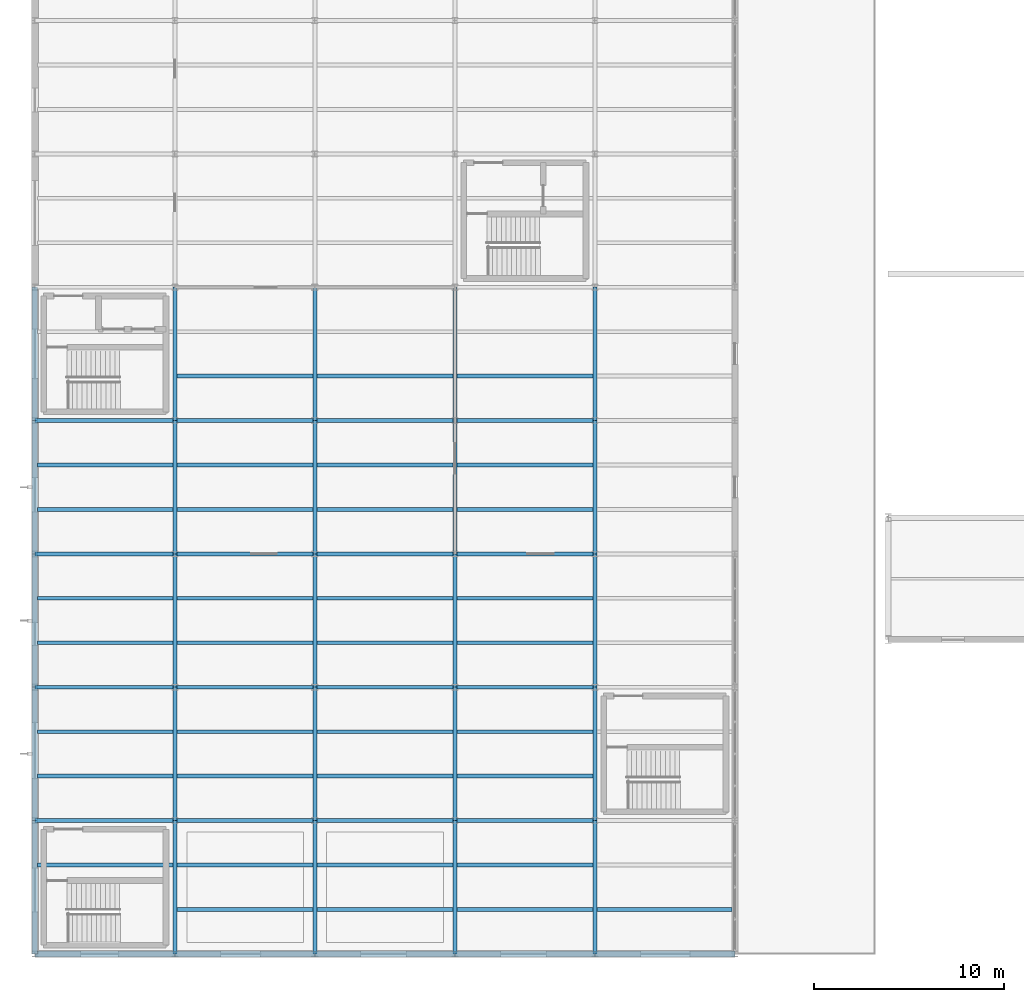
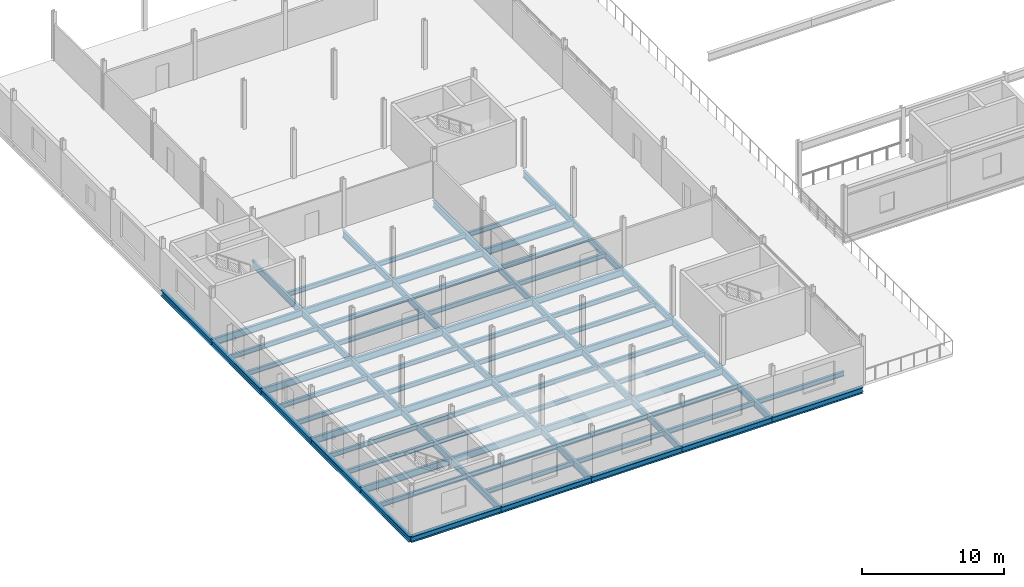
# One storey, part 15 of 39: 81 beams.
"""IFC4 building model written with IfcOpenShell, lengths in metres."""

from ifc_helpers import new_model, si_unit, direction, frame, origin, origin_2d, place, context, subcontext, project, spatial, i_section, extrude, material, material_profile, profile_set, type_object, element, save


model = new_model("IFC4")

# Units and contexts
model_context = context("Model", 3, precision=1e-05, world=origin(), true_north=direction((0.0, 1.0)))
body_context = subcontext(model_context, "Body", "Model", "MODEL_VIEW")
ifc_project = project(units=[si_unit("LENGTHUNIT", "METRE"), si_unit("AREAUNIT", "SQUARE_METRE"), si_unit("VOLUMEUNIT", "CUBIC_METRE"), si_unit("PLANEANGLEUNIT", "RADIAN"), si_unit("MASSUNIT", "GRAM", prefix="KILO")], contexts=[model_context])

# Site, building, storey
site_placement = place(None, origin())
site = spatial("IfcSite", under=ifc_project, at=site_placement, CompositionType="ELEMENT")
building_placement = place(site_placement, origin())
building = spatial("IfcBuilding", under=site, at=building_placement, Name="Kazenagashi Tramway Depot", CompositionType="ELEMENT")
storey_placement = place(building_placement, frame((0.0, 0.0, 11.1)))
storey = spatial("IfcBuildingStorey", under=building, at=storey_placement, Name="L03", CompositionType="ELEMENT", Elevation=11.1)

# Beams
ifc_material = material(Name="Steel SN490B", Category="steel")
ifc_material_profile_1 = material_profile(ifc_material, i_section(OverallWidth=0.199, OverallDepth=0.596, WebThickness=0.01, FlangeThickness=0.015, at=origin_2d()), Name="H-596x199x10x15")
ifc_profile_set_1 = profile_set([ifc_material_profile_1], Name="Steel SN490B")
beam_type_1 = type_object("IfcBeamType", Name="G-09", PredefinedType="BEAM", material=ifc_profile_set_1)
for number, where, z_axis, x_axis, name in (
    (1, (0.0, 7.0, -0.548), (1.0, 0.0, 0.0), (0.0, 1.0, 0.0), "Beam G-09 BM-0223"),
    (2, (7.35, 7.0, -0.548), (1.0, 0.0, 0.0), (0.0, 1.0, 0.0), "Beam G-09 BM-0224"),
    (3, (14.7, 7.0, -0.548), (1.0, 0.0, 0.0), (0.0, 1.0, 0.0), "Beam G-09 BM-0225"),
    (4, (22.05, 7.0, -0.548), (1.0, 0.0, 0.0), (0.0, 1.0, 0.0), "Beam G-09 BM-0226"),
    (5, (0.0, 14.0, -0.548), (1.0, 0.0, 0.0), (0.0, 1.0, 0.0), "Beam G-09 BM-0228"),
    (6, (7.35, 14.0, -0.548), (1.0, 0.0, 0.0), (0.0, 1.0, 0.0), "Beam G-09 BM-0229"),
    (7, (14.7, 14.0, -0.548), (1.0, 0.0, 0.0), (0.0, 1.0, 0.0), "Beam G-09 BM-0230"),
    (8, (22.05, 14.0, -0.548), (1.0, 0.0, 0.0), (0.0, 1.0, 0.0), "Beam G-09 BM-0231"),
    (9, (0.0, 21.0, -0.548), (1.0, 0.0, 0.0), (0.0, 1.0, 0.0), "Beam G-09 BM-0233"),
    (10, (7.35, 21.0, -0.548), (1.0, 0.0, 0.0), (0.0, 1.0, 0.0), "Beam G-09 BM-0234"),
    (11, (14.7, 21.0, -0.548), (1.0, 0.0, 0.0), (0.0, 1.0, 0.0), "Beam G-09 BM-0235"),
    (12, (22.05, 21.0, -0.548), (1.0, 0.0, 0.0), (0.0, 1.0, 0.0), "Beam G-09 BM-0236"),
    (13, (0.0, 28.0, -0.548), (1.0, 0.0, 0.0), (0.0, 1.0, 0.0), "Beam G-09 BM-0238"),
    (14, (7.35, 28.0, -0.548), (1.0, 0.0, 0.0), (0.0, 1.0, 0.0), "Beam G-09 BM-0239"),
    (15, (14.7, 28.0, -0.548), (1.0, 0.0, 0.0), (0.0, 1.0, 0.0), "Beam G-09 BM-0240"),
    (16, (22.05, 28.0, -0.548), (1.0, 0.0, 0.0), (0.0, 1.0, 0.0), "Beam G-09 BM-0241"),
):
    element("IfcBeam", number, at=place(storey_placement, frame(where, z_axis=z_axis, x_axis=x_axis)), inside=storey, type_object=beam_type_1, Name=name, PredefinedType="BEAM", context=body_context, shape_type="SweptSolid", body=[
        extrude(i_section(OverallWidth=0.199, OverallDepth=0.596, WebThickness=0.01, FlangeThickness=0.015, at=origin_2d()), origin(), (0.0, 0.0, 1.0), 7.35),
    ])
for number, where, z_axis, x_axis, name in (
    (17, (7.35, 0.0, -0.548), (0.0, 1.0, 0.0), (-1.0, 0.0, 0.0), "Beam G-09 BM-0293"),
    (18, (7.35, 7.0, -0.548), (0.0, 1.0, 0.0), (-1.0, 0.0, 0.0), "Beam G-09 BM-0296"),
    (19, (7.35, 14.0, -0.548), (0.0, 1.0, 0.0), (-1.0, 0.0, 0.0), "Beam G-09 BM-0299"),
    (20, (7.35, 21.0, -0.548), (0.0, 1.0, 0.0), (-1.0, 0.0, 0.0), "Beam G-09 BM-0302"),
    (21, (7.35, 28.0, -0.548), (0.0, 1.0, 0.0), (-1.0, 0.0, 0.0), "Beam G-09 BM-0305"),
    (22, (14.7, 0.0, -0.548), (0.0, 1.0, 0.0), (-1.0, 0.0, 0.0), "Beam G-09 BM-0320"),
    (23, (14.7, 7.0, -0.548), (0.0, 1.0, 0.0), (-1.0, 0.0, 0.0), "Beam G-09 BM-0323"),
    (24, (14.7, 14.0, -0.548), (0.0, 1.0, 0.0), (-1.0, 0.0, 0.0), "Beam G-09 BM-0326"),
    (25, (14.7, 21.0, -0.548), (0.0, 1.0, 0.0), (-1.0, 0.0, 0.0), "Beam G-09 BM-0329"),
    (26, (14.7, 28.0, -0.548), (0.0, 1.0, 0.0), (-1.0, 0.0, 0.0), "Beam G-09 BM-0332"),
    (27, (22.05, 0.0, -0.548), (0.0, 1.0, 0.0), (-1.0, 0.0, 0.0), "Beam G-09 BM-0347"),
    (28, (22.05, 7.0, -0.548), (0.0, 1.0, 0.0), (-1.0, 0.0, 0.0), "Beam G-09 BM-0350"),
    (29, (22.05, 14.0, -0.548), (0.0, 1.0, 0.0), (-1.0, 0.0, 0.0), "Beam G-09 BM-0353"),
    (30, (22.05, 21.0, -0.548), (0.0, 1.0, 0.0), (-1.0, 0.0, 0.0), "Beam G-09 BM-0356"),
    (31, (22.05, 28.0, -0.548), (0.0, 1.0, 0.0), (-1.0, 0.0, 0.0), "Beam G-09 BM-0359"),
    (32, (29.4, 0.0, -0.548), (0.0, 1.0, 0.0), (-1.0, 0.0, 0.0), "Beam G-09 BM-0373"),
    (33, (29.4, 7.0, -0.548), (0.0, 1.0, 0.0), (-1.0, 0.0, 0.0), "Beam G-09 BM-0376"),
    (34, (29.4, 14.0, -0.548), (0.0, 1.0, 0.0), (-1.0, 0.0, 0.0), "Beam G-09 BM-0378"),
    (35, (29.4, 21.0, -0.548), (0.0, 1.0, 0.0), (-1.0, 0.0, 0.0), "Beam G-09 BM-0381"),
    (36, (29.4, 28.0, -0.548), (0.0, 1.0, 0.0), (-1.0, 0.0, 0.0), "Beam G-09 BM-0384"),
):
    element("IfcBeam", number, at=place(storey_placement, frame(where, z_axis=z_axis, x_axis=x_axis)), inside=storey, type_object=beam_type_1, Name=name, PredefinedType="BEAM", context=body_context, shape_type="SweptSolid", body=[
        extrude(i_section(OverallWidth=0.199, OverallDepth=0.596, WebThickness=0.01, FlangeThickness=0.015, at=origin_2d()), origin(), (0.0, 0.0, 1.0), 7.0),
    ])
ifc_material_profile_2 = material_profile(ifc_material, i_section(OverallWidth=0.199, OverallDepth=0.396, WebThickness=0.007, FlangeThickness=0.011, at=origin_2d()), Name="H-396x199x7x11")
ifc_profile_set_2 = profile_set([ifc_material_profile_2], Name="Steel SN490B")
beam_type_2 = type_object("IfcBeamType", Name="J-05", PredefinedType="JOIST", material=ifc_profile_set_2)
for number, where, z_axis, x_axis, name in (
    (37, (0.15, 4.667, -0.448), (1.0, 0.0, 0.0), (0.0, 1.0, 0.0), "Beam J-05 BM-0269"),
    (38, (0.15, 9.333, -0.448), (1.0, 0.0, 0.0), (0.0, 1.0, 0.0), "Beam J-05 BM-0271"),
    (39, (0.15, 11.667, -0.448), (1.0, 0.0, 0.0), (0.0, 1.0, 0.0), "Beam J-05 BM-0272"),
    (40, (0.15, 16.333, -0.448), (1.0, 0.0, 0.0), (0.0, 1.0, 0.0), "Beam J-05 BM-0274"),
    (41, (0.15, 18.667, -0.448), (1.0, 0.0, 0.0), (0.0, 1.0, 0.0), "Beam J-05 BM-0275"),
    (42, (0.15, 23.333, -0.448), (1.0, 0.0, 0.0), (0.0, 1.0, 0.0), "Beam J-05 BM-0277"),
    (43, (0.15, 25.667, -0.448), (1.0, 0.0, 0.0), (0.0, 1.0, 0.0), "Beam J-05 BM-0278"),
):
    element("IfcBeam", number, at=place(storey_placement, frame(where, z_axis=z_axis, x_axis=x_axis)), inside=storey, type_object=beam_type_2, Name=name, PredefinedType="JOIST", context=body_context, shape_type="SweptSolid", body=[
        extrude(i_section(OverallWidth=0.199, OverallDepth=0.396, WebThickness=0.007, FlangeThickness=0.011, at=origin_2d()), origin(), (0.0, 0.0, 1.0), 7.101),
    ])
for number, where, z_axis, x_axis, name in (
    (44, (7.449, 2.333, -0.448), (1.0, 0.0, 0.0), (0.0, 1.0, 0.0), "Beam J-05 BM-0294"),
    (45, (7.449, 4.667, -0.448), (1.0, 0.0, 0.0), (0.0, 1.0, 0.0), "Beam J-05 BM-0295"),
    (46, (7.449, 9.333, -0.448), (1.0, 0.0, 0.0), (0.0, 1.0, 0.0), "Beam J-05 BM-0297"),
    (47, (7.449, 11.667, -0.448), (1.0, 0.0, 0.0), (0.0, 1.0, 0.0), "Beam J-05 BM-0298"),
    (48, (7.449, 16.333, -0.448), (1.0, 0.0, 0.0), (0.0, 1.0, 0.0), "Beam J-05 BM-0300"),
    (49, (7.449, 18.667, -0.448), (1.0, 0.0, 0.0), (0.0, 1.0, 0.0), "Beam J-05 BM-0301"),
    (50, (7.449, 23.333, -0.448), (1.0, 0.0, 0.0), (0.0, 1.0, 0.0), "Beam J-05 BM-0303"),
    (51, (7.449, 25.667, -0.448), (1.0, 0.0, 0.0), (0.0, 1.0, 0.0), "Beam J-05 BM-0304"),
    (52, (7.449, 30.333, -0.448), (1.0, 0.0, 0.0), (0.0, 1.0, 0.0), "Beam J-05 BM-0306"),
    (53, (14.799, 2.333, -0.448), (1.0, 0.0, 0.0), (0.0, 1.0, 0.0), "Beam J-05 BM-0321"),
    (54, (14.799, 4.667, -0.448), (1.0, 0.0, 0.0), (0.0, 1.0, 0.0), "Beam J-05 BM-0322"),
    (55, (14.799, 9.333, -0.448), (1.0, 0.0, 0.0), (0.0, 1.0, 0.0), "Beam J-05 BM-0324"),
    (56, (14.799, 11.667, -0.448), (1.0, 0.0, 0.0), (0.0, 1.0, 0.0), "Beam J-05 BM-0325"),
    (57, (14.799, 16.333, -0.448), (1.0, 0.0, 0.0), (0.0, 1.0, 0.0), "Beam J-05 BM-0327"),
    (58, (14.799, 18.667, -0.448), (1.0, 0.0, 0.0), (0.0, 1.0, 0.0), "Beam J-05 BM-0328"),
    (59, (14.799, 23.333, -0.448), (1.0, 0.0, 0.0), (0.0, 1.0, 0.0), "Beam J-05 BM-0330"),
    (60, (14.799, 25.667, -0.448), (1.0, 0.0, 0.0), (0.0, 1.0, 0.0), "Beam J-05 BM-0331"),
    (61, (14.799, 30.333, -0.448), (1.0, 0.0, 0.0), (0.0, 1.0, 0.0), "Beam J-05 BM-0333"),
    (62, (22.149, 2.333, -0.448), (1.0, 0.0, 0.0), (0.0, 1.0, 0.0), "Beam J-05 BM-0348"),
    (63, (22.149, 4.667, -0.448), (1.0, 0.0, 0.0), (0.0, 1.0, 0.0), "Beam J-05 BM-0349"),
    (64, (22.149, 9.333, -0.448), (1.0, 0.0, 0.0), (0.0, 1.0, 0.0), "Beam J-05 BM-0351"),
    (65, (22.149, 11.667, -0.448), (1.0, 0.0, 0.0), (0.0, 1.0, 0.0), "Beam J-05 BM-0352"),
    (66, (22.149, 16.333, -0.448), (1.0, 0.0, 0.0), (0.0, 1.0, 0.0), "Beam J-05 BM-0354"),
    (67, (22.149, 18.667, -0.448), (1.0, 0.0, 0.0), (0.0, 1.0, 0.0), "Beam J-05 BM-0355"),
    (68, (22.149, 23.333, -0.448), (1.0, 0.0, 0.0), (0.0, 1.0, 0.0), "Beam J-05 BM-0357"),
    (69, (22.149, 25.667, -0.448), (1.0, 0.0, 0.0), (0.0, 1.0, 0.0), "Beam J-05 BM-0358"),
    (70, (22.149, 30.333, -0.448), (1.0, 0.0, 0.0), (0.0, 1.0, 0.0), "Beam J-05 BM-0360"),
):
    element("IfcBeam", number, at=place(storey_placement, frame(where, z_axis=z_axis, x_axis=x_axis)), inside=storey, type_object=beam_type_2, Name=name, PredefinedType="JOIST", context=body_context, shape_type="SweptSolid", body=[
        extrude(i_section(OverallWidth=0.199, OverallDepth=0.396, WebThickness=0.007, FlangeThickness=0.011, at=origin_2d()), origin(), (0.0, 0.0, 1.0), 7.152),
    ])
beam_placement = place(storey_placement, frame((29.499, 2.333, -0.448), z_axis=(1.0, 0.0, 0.0), x_axis=(0.0, 1.0, 0.0)))
element("IfcBeam", 71, at=beam_placement, inside=storey, type_object=beam_type_2, Name="Beam J-05 BM-0374", PredefinedType="JOIST", context=body_context, shape_type="SweptSolid", body=[
    extrude(i_section(OverallWidth=0.199, OverallDepth=0.396, WebThickness=0.007, FlangeThickness=0.011, at=origin_2d()), origin(), (0.0, 0.0, 1.0), 7.101),
])
ifc_material_profile_3 = material_profile(ifc_material, i_section(OverallWidth=0.3, OverallDepth=0.488, WebThickness=0.011, FlangeThickness=0.018, at=origin_2d()), Name="H-488x300x11x18")
ifc_profile_set_3 = profile_set([ifc_material_profile_3], Name="Steel SN490B")
beam_type_3 = type_object("IfcBeamType", Name="SP-02", PredefinedType="SPANDREL", material=ifc_profile_set_3)
for number, where, z_axis, x_axis, name in (
    (72, (0.0, 0.0, -0.494), (1.0, 0.0, 0.0), (0.0, 1.0, 0.0), "Beam SP-02 BM-0218"),
    (73, (7.35, 0.0, -0.494), (1.0, 0.0, 0.0), (0.0, 1.0, 0.0), "Beam SP-02 BM-0219"),
    (74, (14.7, 0.0, -0.494), (1.0, 0.0, 0.0), (0.0, 1.0, 0.0), "Beam SP-02 BM-0220"),
    (75, (22.05, 0.0, -0.494), (1.0, 0.0, 0.0), (0.0, 1.0, 0.0), "Beam SP-02 BM-0221"),
    (76, (29.4, 0.0, -0.494), (1.0, 0.0, 0.0), (0.0, 1.0, 0.0), "Beam SP-02 BM-0222"),
):
    element("IfcBeam", number, at=place(storey_placement, frame(where, z_axis=z_axis, x_axis=x_axis)), inside=storey, type_object=beam_type_3, Name=name, PredefinedType="SPANDREL", context=body_context, shape_type="SweptSolid", body=[
        extrude(i_section(OverallWidth=0.3, OverallDepth=0.488, WebThickness=0.011, FlangeThickness=0.018, at=origin_2d()), origin(), (0.0, 0.0, 1.0), 7.35),
    ])
for number, where, z_axis, x_axis, name in (
    (77, (0.0, 0.0, -0.494), (0.0, 1.0, 0.0), (-1.0, 0.0, 0.0), "Beam SP-02 BM-0268"),
    (78, (0.0, 7.0, -0.494), (0.0, 1.0, 0.0), (-1.0, 0.0, 0.0), "Beam SP-02 BM-0270"),
    (79, (0.0, 14.0, -0.494), (0.0, 1.0, 0.0), (-1.0, 0.0, 0.0), "Beam SP-02 BM-0273"),
    (80, (0.0, 21.0, -0.494), (0.0, 1.0, 0.0), (-1.0, 0.0, 0.0), "Beam SP-02 BM-0276"),
    (81, (0.0, 28.0, -0.494), (0.0, 1.0, 0.0), (-1.0, 0.0, 0.0), "Beam SP-02 BM-0279"),
):
    element("IfcBeam", number, at=place(storey_placement, frame(where, z_axis=z_axis, x_axis=x_axis)), inside=storey, type_object=beam_type_3, Name=name, PredefinedType="SPANDREL", context=body_context, shape_type="SweptSolid", body=[
        extrude(i_section(OverallWidth=0.3, OverallDepth=0.488, WebThickness=0.011, FlangeThickness=0.018, at=origin_2d()), origin(), (0.0, 0.0, 1.0), 7.0),
    ])

save(model, "model.ifc")
